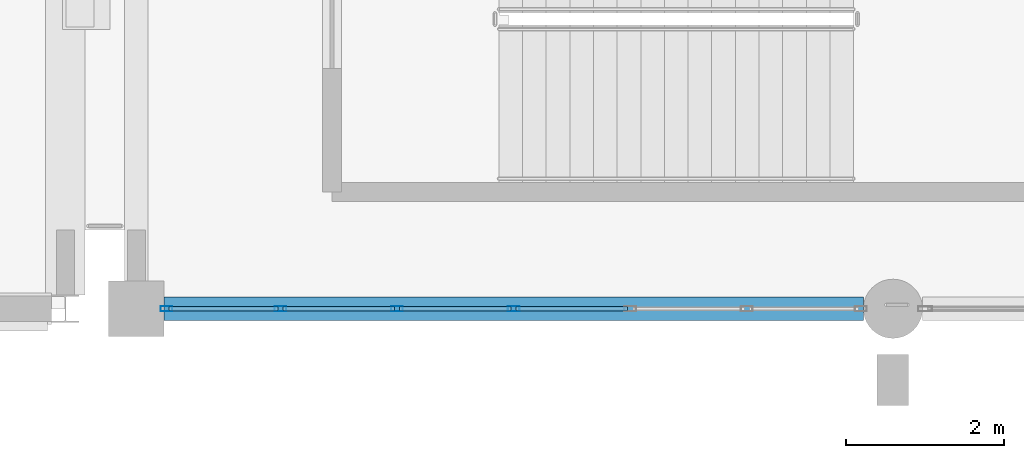
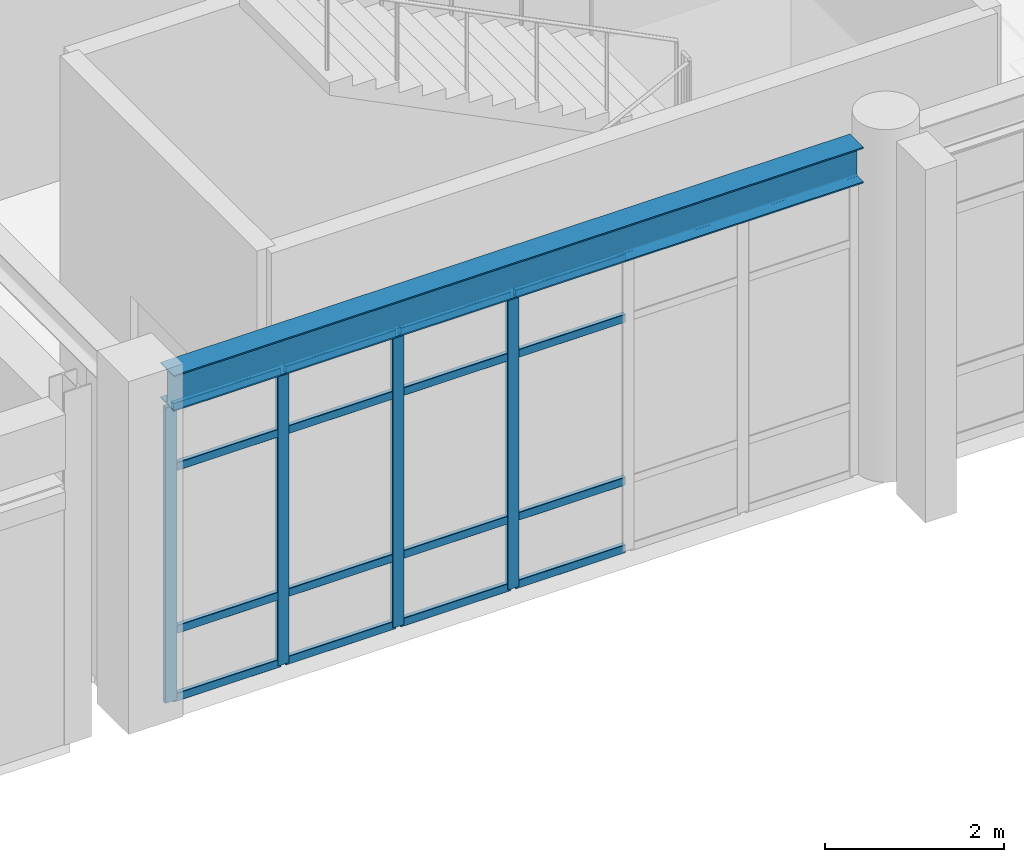
# One storey, part 53 of 98: 20 members, 1 beam, 1 element without a shape of its own.
"""IFC4 building model written with IfcOpenShell, lengths in metres."""

from ifc_helpers import new_model, si_unit, direction, frame, origin, origin_2d, place, context, subcontext, project, spatial, hollow_rectangle, i_section, extrude, material, material_profile, profile_set, type_object, element, aggregate, save


model = new_model("IFC4")

# Units and contexts
model_context = context("Model", 3, precision=1e-05, world=origin(), true_north=direction((0.0, 1.0)))
body_context = subcontext(model_context, "Body", "Model", "MODEL_VIEW")
ifc_project = project(units=[si_unit("LENGTHUNIT", "METRE"), si_unit("AREAUNIT", "SQUARE_METRE"), si_unit("VOLUMEUNIT", "CUBIC_METRE"), si_unit("PLANEANGLEUNIT", "RADIAN"), si_unit("MASSUNIT", "GRAM", prefix="KILO")], contexts=[model_context])

# Site, building, storey
site_placement = place(None, origin())
site = spatial("IfcSite", under=ifc_project, at=site_placement, CompositionType="ELEMENT")
building_placement = place(site_placement, origin())
building = spatial("IfcBuilding", under=site, at=building_placement, Name="Canglan Escarpment Cableway Terminal", CompositionType="ELEMENT")
storey_placement = place(building_placement, frame((0.0, 0.0, 9.60009765625)))
storey = spatial("IfcBuildingStorey", under=building, at=storey_placement, Name="L02", CompositionType="ELEMENT", Elevation=9.60009765625)

# Beam
ifc_material_1 = material(Name="Steel Q355B", Category="steel")
ifc_material_profile_1 = material_profile(ifc_material_1, i_section(OverallWidth=0.300048828125, OverallDepth=0.488037109375, WebThickness=0.010986328125, FlangeThickness=0.01806640625, FilletRadius=0.02587890625, at=origin_2d()), Name="HM 488x300x11x18")
ifc_profile_set_1 = profile_set([ifc_material_profile_1], Name="Steel Q355B")
beam_type = type_object("IfcBeamType", Name="BM-HM488", PredefinedType="BEAM", material=ifc_profile_set_1)
beam_placement = place(storey_placement, frame((147.550048828125, 8.0, 4.27587890625), z_axis=(1.0, 0.0, 0.0), x_axis=(0.0, 1.0, 0.0)))
element("IfcBeam", 1, at=beam_placement, inside=storey, type_object=beam_type, Name="Primary structural girder B-09", PredefinedType="BEAM", context=body_context, shape_type="SweptSolid", body=[
    extrude(i_section(OverallWidth=0.300048828125, OverallDepth=0.488037109375, WebThickness=0.010986328125, FlangeThickness=0.01806640625, FilletRadius=0.02587890625, at=origin_2d()), origin(), (0.0, 0.0, 1.0), 8.875),
])

# Curtain wall, members
ifc_material_2 = material(Name="Anodized bronze aluminium and Low-E double glazing", Category="aluminium")
curtain_wall_type = type_object("IfcCurtainWallType", Name="CW-BAY-8875x4025", PredefinedType="NOTDEFINED", material=ifc_material_2)
curtain_wall_placement = place(storey_placement, origin())
curtain_wall = element("IfcCurtainWall", 2, at=curtain_wall_placement, inside=storey, type_object=curtain_wall_type, Name="Classical bay-between-piers glazed curtain wall CW-26", PredefinedType="NOTDEFINED")
ifc_material_3 = material(Name="Thermally broken anodized aluminium 6063-T6", Category="aluminium")
ifc_material_profile_2 = material_profile(ifc_material_3, hollow_rectangle(XDim=0.06494140625, YDim=0.14990234375, WallThickness=0.00341796875, InnerFilletRadius=0.00341796875, OuterFilletRadius=0.007080078125, at=origin_2d()), Name="ALU-MULL 65x150x3.5")
ifc_profile_set_2 = profile_set([ifc_material_profile_2], Name="Thermally broken anodized aluminium 6063-T6")
member_type_1 = type_object("IfcMemberType", Name="CWM-02", PredefinedType="MULLION", material=ifc_profile_set_2)
member_1_placement = place(storey_placement, frame((147.58251953125, 8.0, 0.0), z_axis=(0.0, 0.0, 1.0), x_axis=(0.0, 1.0, 0.0)))
member_1 = element("IfcMember", 3, at=member_1_placement, type_object=member_type_1, Name="CW-26 mullion 1", PredefinedType="MULLION", context=body_context, shape_type="SweptSolid", body=[
    extrude(hollow_rectangle(XDim=0.06494140625, YDim=0.14990234375, WallThickness=0.00341796875, InnerFilletRadius=0.00341796875, OuterFilletRadius=0.007080078125, at=origin_2d()), origin(), (0.0, 0.0, 1.0), 4.016845703125),
])
member_2_placement = place(storey_placement, frame((149.029052734375, 8.0, 0.0), z_axis=(0.0, 0.0, 1.0), x_axis=(0.0, 1.0, 0.0)))
member_2 = element("IfcMember", 4, at=member_2_placement, type_object=member_type_1, Name="CW-26 mullion 2", PredefinedType="MULLION", context=body_context, shape_type="SweptSolid", body=[
    extrude(hollow_rectangle(XDim=0.06494140625, YDim=0.14990234375, WallThickness=0.00341796875, InnerFilletRadius=0.00341796875, OuterFilletRadius=0.007080078125, at=origin_2d()), origin(), (0.0, 0.0, 1.0), 4.016845703125),
])
member_3_placement = place(storey_placement, frame((150.50830078125, 8.0, 0.0), z_axis=(0.0, 0.0, 1.0), x_axis=(0.0, 1.0, 0.0)))
member_3 = element("IfcMember", 5, at=member_3_placement, type_object=member_type_1, Name="CW-26 mullion 3", PredefinedType="MULLION", context=body_context, shape_type="SweptSolid", body=[
    extrude(hollow_rectangle(XDim=0.06494140625, YDim=0.14990234375, WallThickness=0.00341796875, InnerFilletRadius=0.00341796875, OuterFilletRadius=0.007080078125, at=origin_2d()), origin(), (0.0, 0.0, 1.0), 4.016845703125),
])
member_4_placement = place(storey_placement, frame((151.987548828125, 8.0, 0.0), z_axis=(0.0, 0.0, 1.0), x_axis=(0.0, 1.0, 0.0)))
member_4 = element("IfcMember", 6, at=member_4_placement, type_object=member_type_1, Name="CW-26 mullion 4", PredefinedType="MULLION", context=body_context, shape_type="SweptSolid", body=[
    extrude(hollow_rectangle(XDim=0.06494140625, YDim=0.14990234375, WallThickness=0.00341796875, InnerFilletRadius=0.00341796875, OuterFilletRadius=0.007080078125, at=origin_2d()), origin(), (0.0, 0.0, 1.0), 4.016845703125),
])
ifc_material_profile_3 = material_profile(ifc_material_3, hollow_rectangle(XDim=0.06005859375, YDim=0.110107421875, WallThickness=0.0029296875, InnerFilletRadius=0.0029296875, OuterFilletRadius=0.006103515625, at=origin_2d()), Name="ALU-TRAN 60x110x3")
ifc_profile_set_3 = profile_set([ifc_material_profile_3], Name="Thermally broken anodized aluminium 6063-T6")
member_type_2 = type_object("IfcMemberType", Name="CWT-02", PredefinedType="USERDEFINED", material=ifc_profile_set_3)
member_5_placement = place(storey_placement, frame((147.614990234375, 8.0, 0.02978515625), z_axis=(1.0, 0.0, 0.0), x_axis=(0.0, 1.0, 0.0)))
member_5 = element("IfcMember", 7, at=member_5_placement, type_object=member_type_2, Name="CW-26 transom 1.1", ObjectType="TRANSOM", PredefinedType="USERDEFINED", context=body_context, shape_type="SweptSolid", body=[
    extrude(hollow_rectangle(XDim=0.06005859375, YDim=0.110107421875, WallThickness=0.0029296875, InnerFilletRadius=0.0029296875, OuterFilletRadius=0.006103515625, at=origin_2d()), origin(), (0.0, 0.0, 1.0), 1.381591796875),
])
member_6_placement = place(storey_placement, frame((147.614990234375, 8.0, 0.949951171875), z_axis=(1.0, 0.0, 0.0), x_axis=(0.0, 1.0, 0.0)))
member_6 = element("IfcMember", 8, at=member_6_placement, type_object=member_type_2, Name="CW-26 transom 1.2", ObjectType="TRANSOM", PredefinedType="USERDEFINED", context=body_context, shape_type="SweptSolid", body=[
    extrude(hollow_rectangle(XDim=0.06005859375, YDim=0.110107421875, WallThickness=0.0029296875, InnerFilletRadius=0.0029296875, OuterFilletRadius=0.006103515625, at=origin_2d()), origin(), (0.0, 0.0, 1.0), 1.381591796875),
])
member_7_placement = place(storey_placement, frame((147.614990234375, 8.0, 3.1669921875), z_axis=(1.0, 0.0, 0.0), x_axis=(0.0, 1.0, 0.0)))
member_7 = element("IfcMember", 9, at=member_7_placement, type_object=member_type_2, Name="CW-26 transom 1.3", ObjectType="TRANSOM", PredefinedType="USERDEFINED", context=body_context, shape_type="SweptSolid", body=[
    extrude(hollow_rectangle(XDim=0.06005859375, YDim=0.110107421875, WallThickness=0.0029296875, InnerFilletRadius=0.0029296875, OuterFilletRadius=0.006103515625, at=origin_2d()), origin(), (0.0, 0.0, 1.0), 1.381591796875),
])
member_8_placement = place(storey_placement, frame((147.614990234375, 8.0, 3.98681640625), z_axis=(1.0, 0.0, 0.0), x_axis=(0.0, 1.0, 0.0)))
member_8 = element("IfcMember", 10, at=member_8_placement, type_object=member_type_2, Name="CW-26 transom 1.4", ObjectType="TRANSOM", PredefinedType="USERDEFINED", context=body_context, shape_type="SweptSolid", body=[
    extrude(hollow_rectangle(XDim=0.06005859375, YDim=0.110107421875, WallThickness=0.0029296875, InnerFilletRadius=0.0029296875, OuterFilletRadius=0.006103515625, at=origin_2d()), origin(), (0.0, 0.0, 1.0), 1.381591796875),
])
member_9_placement = place(storey_placement, frame((149.061767578125, 8.0, 0.02978515625), z_axis=(1.0, 0.0, 0.0), x_axis=(0.0, 1.0, 0.0)))
member_9 = element("IfcMember", 11, at=member_9_placement, type_object=member_type_2, Name="CW-26 transom 2.1", ObjectType="TRANSOM", PredefinedType="USERDEFINED", context=body_context, shape_type="SweptSolid", body=[
    extrude(hollow_rectangle(XDim=0.06005859375, YDim=0.110107421875, WallThickness=0.0029296875, InnerFilletRadius=0.0029296875, OuterFilletRadius=0.006103515625, at=origin_2d()), origin(), (0.0, 0.0, 1.0), 1.4140625),
])
member_10_placement = place(storey_placement, frame((149.061767578125, 8.0, 0.949951171875), z_axis=(1.0, 0.0, 0.0), x_axis=(0.0, 1.0, 0.0)))
member_10 = element("IfcMember", 12, at=member_10_placement, type_object=member_type_2, Name="CW-26 transom 2.2", ObjectType="TRANSOM", PredefinedType="USERDEFINED", context=body_context, shape_type="SweptSolid", body=[
    extrude(hollow_rectangle(XDim=0.06005859375, YDim=0.110107421875, WallThickness=0.0029296875, InnerFilletRadius=0.0029296875, OuterFilletRadius=0.006103515625, at=origin_2d()), origin(), (0.0, 0.0, 1.0), 1.4140625),
])
member_11_placement = place(storey_placement, frame((149.061767578125, 8.0, 3.1669921875), z_axis=(1.0, 0.0, 0.0), x_axis=(0.0, 1.0, 0.0)))
member_11 = element("IfcMember", 13, at=member_11_placement, type_object=member_type_2, Name="CW-26 transom 2.3", ObjectType="TRANSOM", PredefinedType="USERDEFINED", context=body_context, shape_type="SweptSolid", body=[
    extrude(hollow_rectangle(XDim=0.06005859375, YDim=0.110107421875, WallThickness=0.0029296875, InnerFilletRadius=0.0029296875, OuterFilletRadius=0.006103515625, at=origin_2d()), origin(), (0.0, 0.0, 1.0), 1.4140625),
])
member_12_placement = place(storey_placement, frame((149.061767578125, 8.0, 3.98681640625), z_axis=(1.0, 0.0, 0.0), x_axis=(0.0, 1.0, 0.0)))
member_12 = element("IfcMember", 14, at=member_12_placement, type_object=member_type_2, Name="CW-26 transom 2.4", ObjectType="TRANSOM", PredefinedType="USERDEFINED", context=body_context, shape_type="SweptSolid", body=[
    extrude(hollow_rectangle(XDim=0.06005859375, YDim=0.110107421875, WallThickness=0.0029296875, InnerFilletRadius=0.0029296875, OuterFilletRadius=0.006103515625, at=origin_2d()), origin(), (0.0, 0.0, 1.0), 1.4140625),
])
member_13_placement = place(storey_placement, frame((150.540771484375, 8.0, 0.02978515625), z_axis=(1.0, 0.0, 0.0), x_axis=(0.0, 1.0, 0.0)))
member_13 = element("IfcMember", 15, at=member_13_placement, type_object=member_type_2, Name="CW-26 transom 3.1", ObjectType="TRANSOM", PredefinedType="USERDEFINED", context=body_context, shape_type="SweptSolid", body=[
    extrude(hollow_rectangle(XDim=0.06005859375, YDim=0.110107421875, WallThickness=0.0029296875, InnerFilletRadius=0.0029296875, OuterFilletRadius=0.006103515625, at=origin_2d()), origin(), (0.0, 0.0, 1.0), 1.414306640625),
])
member_14_placement = place(storey_placement, frame((150.540771484375, 8.0, 0.949951171875), z_axis=(1.0, 0.0, 0.0), x_axis=(0.0, 1.0, 0.0)))
member_14 = element("IfcMember", 16, at=member_14_placement, type_object=member_type_2, Name="CW-26 transom 3.2", ObjectType="TRANSOM", PredefinedType="USERDEFINED", context=body_context, shape_type="SweptSolid", body=[
    extrude(hollow_rectangle(XDim=0.06005859375, YDim=0.110107421875, WallThickness=0.0029296875, InnerFilletRadius=0.0029296875, OuterFilletRadius=0.006103515625, at=origin_2d()), origin(), (0.0, 0.0, 1.0), 1.414306640625),
])
member_15_placement = place(storey_placement, frame((150.540771484375, 8.0, 3.1669921875), z_axis=(1.0, 0.0, 0.0), x_axis=(0.0, 1.0, 0.0)))
member_15 = element("IfcMember", 17, at=member_15_placement, type_object=member_type_2, Name="CW-26 transom 3.3", ObjectType="TRANSOM", PredefinedType="USERDEFINED", context=body_context, shape_type="SweptSolid", body=[
    extrude(hollow_rectangle(XDim=0.06005859375, YDim=0.110107421875, WallThickness=0.0029296875, InnerFilletRadius=0.0029296875, OuterFilletRadius=0.006103515625, at=origin_2d()), origin(), (0.0, 0.0, 1.0), 1.414306640625),
])
member_16_placement = place(storey_placement, frame((150.540771484375, 8.0, 3.98681640625), z_axis=(1.0, 0.0, 0.0), x_axis=(0.0, 1.0, 0.0)))
member_16 = element("IfcMember", 18, at=member_16_placement, type_object=member_type_2, Name="CW-26 transom 3.4", ObjectType="TRANSOM", PredefinedType="USERDEFINED", context=body_context, shape_type="SweptSolid", body=[
    extrude(hollow_rectangle(XDim=0.06005859375, YDim=0.110107421875, WallThickness=0.0029296875, InnerFilletRadius=0.0029296875, OuterFilletRadius=0.006103515625, at=origin_2d()), origin(), (0.0, 0.0, 1.0), 1.414306640625),
])
member_17_placement = place(storey_placement, frame((152.02001953125, 8.0, 0.02978515625), z_axis=(1.0, 0.0, 0.0), x_axis=(0.0, 1.0, 0.0)))
member_17 = element("IfcMember", 19, at=member_17_placement, type_object=member_type_2, Name="CW-26 transom 4.1", ObjectType="TRANSOM", PredefinedType="USERDEFINED", context=body_context, shape_type="SweptSolid", body=[
    extrude(hollow_rectangle(XDim=0.06005859375, YDim=0.110107421875, WallThickness=0.0029296875, InnerFilletRadius=0.0029296875, OuterFilletRadius=0.006103515625, at=origin_2d()), origin(), (0.0, 0.0, 1.0), 1.4140625),
])
member_18_placement = place(storey_placement, frame((152.02001953125, 8.0, 0.949951171875), z_axis=(1.0, 0.0, 0.0), x_axis=(0.0, 1.0, 0.0)))
member_18 = element("IfcMember", 20, at=member_18_placement, type_object=member_type_2, Name="CW-26 transom 4.2", ObjectType="TRANSOM", PredefinedType="USERDEFINED", context=body_context, shape_type="SweptSolid", body=[
    extrude(hollow_rectangle(XDim=0.06005859375, YDim=0.110107421875, WallThickness=0.0029296875, InnerFilletRadius=0.0029296875, OuterFilletRadius=0.006103515625, at=origin_2d()), origin(), (0.0, 0.0, 1.0), 1.4140625),
])
member_19_placement = place(storey_placement, frame((152.02001953125, 8.0, 3.1669921875), z_axis=(1.0, 0.0, 0.0), x_axis=(0.0, 1.0, 0.0)))
member_19 = element("IfcMember", 21, at=member_19_placement, type_object=member_type_2, Name="CW-26 transom 4.3", ObjectType="TRANSOM", PredefinedType="USERDEFINED", context=body_context, shape_type="SweptSolid", body=[
    extrude(hollow_rectangle(XDim=0.06005859375, YDim=0.110107421875, WallThickness=0.0029296875, InnerFilletRadius=0.0029296875, OuterFilletRadius=0.006103515625, at=origin_2d()), origin(), (0.0, 0.0, 1.0), 1.4140625),
])
member_20_placement = place(storey_placement, frame((152.02001953125, 8.0, 3.98681640625), z_axis=(1.0, 0.0, 0.0), x_axis=(0.0, 1.0, 0.0)))
member_20 = element("IfcMember", 22, at=member_20_placement, type_object=member_type_2, Name="CW-26 transom 4.4", ObjectType="TRANSOM", PredefinedType="USERDEFINED", context=body_context, shape_type="SweptSolid", body=[
    extrude(hollow_rectangle(XDim=0.06005859375, YDim=0.110107421875, WallThickness=0.0029296875, InnerFilletRadius=0.0029296875, OuterFilletRadius=0.006103515625, at=origin_2d()), origin(), (0.0, 0.0, 1.0), 1.4140625),
])
aggregate(curtain_wall, [member_1, member_2, member_3, member_4, member_5, member_6, member_7, member_8, member_9, member_10, member_11, member_12, member_13, member_14, member_15, member_16, member_17, member_18, member_19, member_20])

save(model, "model.ifc")
